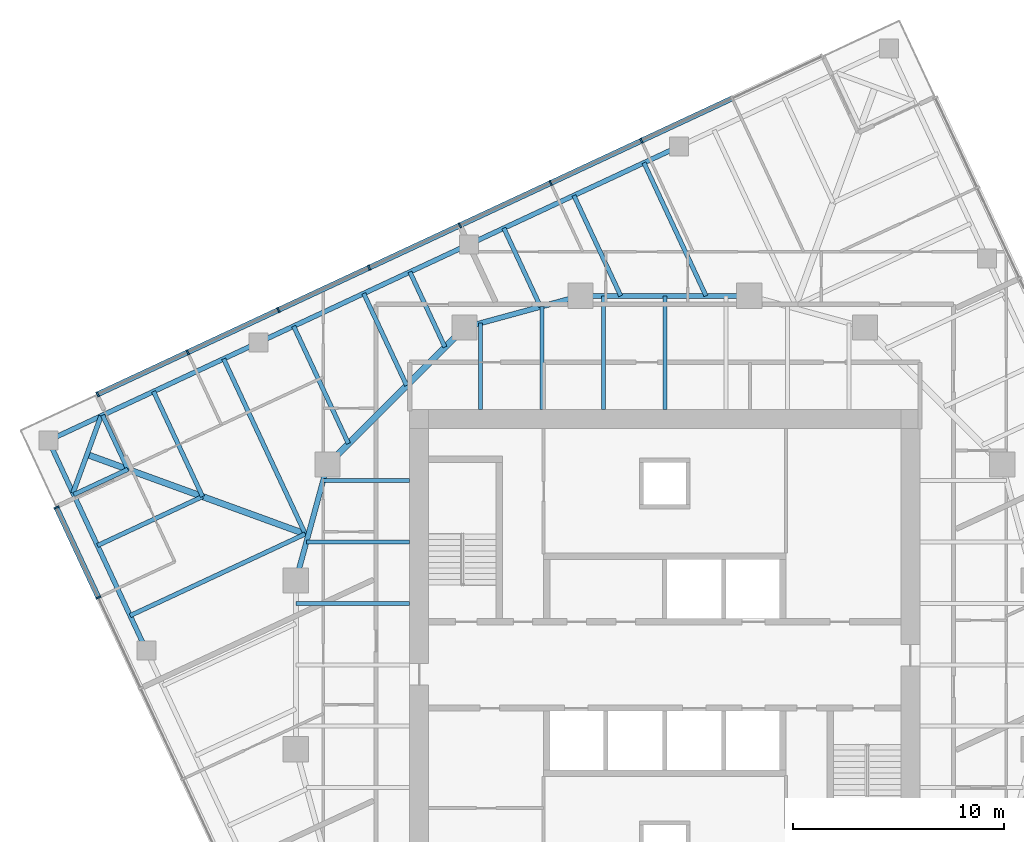
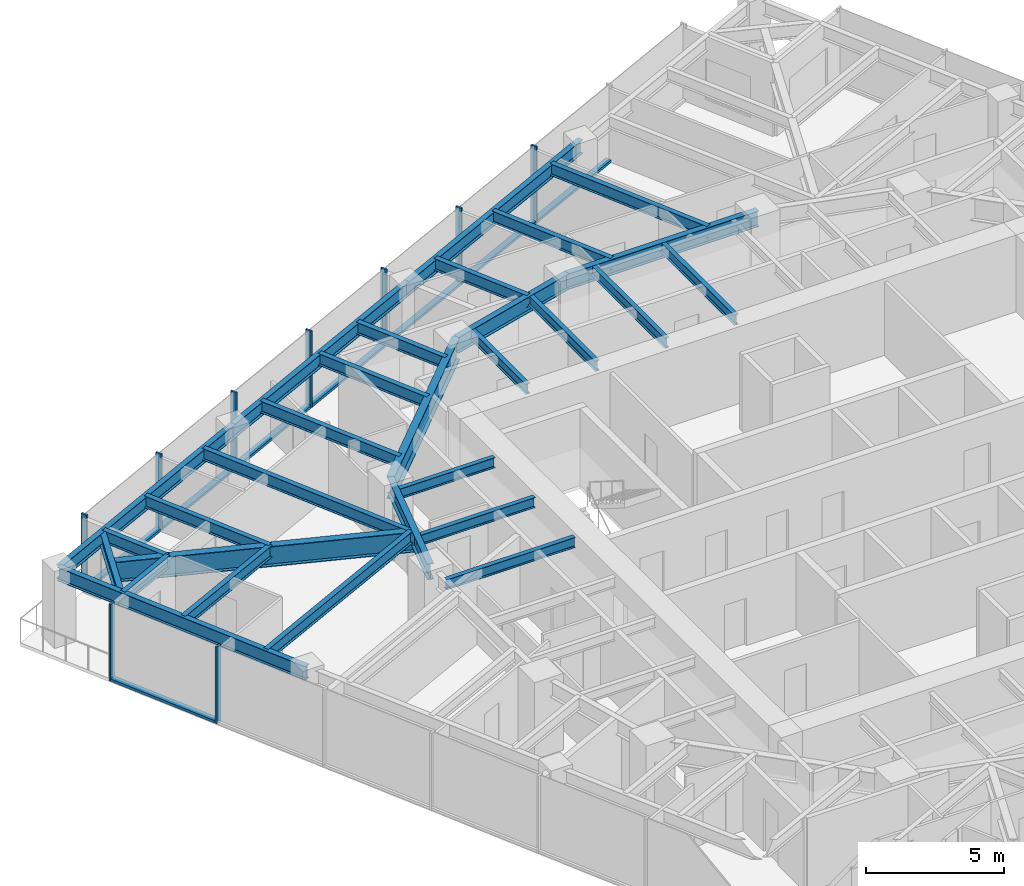
# One storey, part 4 of 12: 29 beams, 17 members, 2 elements without a shape of their own.
"""IFC4 building model written with IfcOpenShell, lengths in metres."""

from ifc_helpers import new_model, si_unit, direction, frame, origin, origin_2d, place, context, subcontext, project, spatial, rectangle, i_section, extrude, material, material_profile, profile_set, type_object, element, aggregate, save


model = new_model("IFC4")

# Units and contexts
model_context = context("Model", 3, precision=1e-05, world=origin(), true_north=direction((0.0, 1.0)))
body_context = subcontext(model_context, "Body", "Model", "MODEL_VIEW")
ifc_project = project(units=[si_unit("LENGTHUNIT", "METRE"), si_unit("AREAUNIT", "SQUARE_METRE"), si_unit("VOLUMEUNIT", "CUBIC_METRE"), si_unit("PLANEANGLEUNIT", "RADIAN"), si_unit("MASSUNIT", "GRAM", prefix="KILO")], contexts=[model_context])

# Site, building, storey
site_placement = place(None, origin())
site = spatial("IfcSite", under=ifc_project, at=site_placement, CompositionType="ELEMENT")
building_placement = place(site_placement, origin())
building = spatial("IfcBuilding", under=site, at=building_placement, Name="Torsade Residences", CompositionType="ELEMENT")
storey_placement = place(building_placement, frame((0.0, 0.0, 186.199951171875)))
storey = spatial("IfcBuildingStorey", under=building, at=storey_placement, Name="L51", CompositionType="ELEMENT", Elevation=186.199951171875)

# Beams
ifc_material_1 = material(Name="Steel grade 300", Category="steel")
ifc_material_profile_1 = material_profile(ifc_material_1, i_section(OverallWidth=0.300048828125, OverallDepth=0.89990234375, WebThickness=0.011962890625, FlangeThickness=0.02490234375, at=origin_2d()), Name="900WB175")
ifc_profile_set_1 = profile_set([ifc_material_profile_1], Name="Steel grade 300")
beam_type_1 = type_object("IfcBeamType", Name="CORNER GIRDER 900WB175", PredefinedType="BEAM", material=ifc_profile_set_1)
beam_1_placement = place(storey_placement, frame((12.5908203125, 39.97607421875, 2.800048828125), z_axis=(0.93969447651, -0.342015044723, 0.0), x_axis=(0.342015044723, 0.93969447651, 0.0)))
element("IfcBeam", 1, at=beam_1_placement, inside=storey, type_object=beam_type_1, Name="Corner girder 13 L52", PredefinedType="BEAM", context=body_context, shape_type="SweptSolid", body=[
    extrude(i_section(OverallWidth=0.300048828125, OverallDepth=0.89990234375, WebThickness=0.011962890625, FlangeThickness=0.02490234375, at=origin_2d()), origin(), (0.0, 0.0, 1.0), 11.170654296875),
])
ifc_material_2 = material(Name="Steel grade 300", Category="steel")
ifc_material_profile_2 = material_profile(ifc_material_2, i_section(OverallWidth=0.22802734375, OverallDepth=0.60205078125, WebThickness=0.010498046875, FlangeThickness=0.014892578125, FilletRadius=0.013916015625, at=origin_2d()), Name="610UB101")
ifc_profile_set_2 = profile_set([ifc_material_profile_2], Name="Steel grade 300")
beam_type_2 = type_object("IfcBeamType", Name="CORNER TRIMMER 610UB101", PredefinedType="BEAM", material=ifc_profile_set_2)
beam_2_placement = place(storey_placement, frame((11.92578125, 38.14892578125, 2.948974609375), z_axis=(0.342005152204, 0.939698076972, 0.0), x_axis=(-0.939698076972, 0.342005152204, 0.0)))
element("IfcBeam", 2, at=beam_2_placement, inside=storey, type_object=beam_type_2, Name="Corner trimmer 13 L52", PredefinedType="BEAM", context=body_context, shape_type="SweptSolid", body=[
    extrude(i_section(OverallWidth=0.22802734375, OverallDepth=0.60205078125, WebThickness=0.010498046875, FlangeThickness=0.014892578125, FilletRadius=0.013916015625, at=origin_2d()), origin(), (0.0, 0.0, 1.0), 3.88916015625),
])
ifc_material_3 = material(Name="Steel grade 300", Category="steel")
ifc_material_profile_3 = material_profile(ifc_material_3, i_section(OverallWidth=0.22900390625, OverallDepth=0.612060546875, WebThickness=0.011962890625, FlangeThickness=0.01953125, FilletRadius=0.013916015625, at=origin_2d()), Name="610UB125")
ifc_profile_set_3 = profile_set([ifc_material_profile_3], Name="Steel grade 300")
beam_type_3 = type_object("IfcBeamType", Name="EDGE BEAM 610UB125", PredefinedType="SPANDREL", material=ifc_profile_set_3)
beam_3_placement = place(storey_placement, frame((40.671875, 54.587646484375, 2.944091796875), z_axis=(-0.906305009094, -0.422624219007, 0.0), x_axis=(0.422624219007, -0.906305009094, 0.0)))
element("IfcBeam", 3, at=beam_3_placement, inside=storey, type_object=beam_type_3, Name="Edge beam 10 L52", PredefinedType="SPANDREL", context=body_context, shape_type="SweptSolid", body=[
    extrude(i_section(OverallWidth=0.22900390625, OverallDepth=0.612060546875, WebThickness=0.011962890625, FlangeThickness=0.01953125, FilletRadius=0.013916015625, at=origin_2d()), origin(), (0.0, 0.0, 1.0), 11.000244140625),
])
for number, where, z_axis, x_axis, name in (
    (4, (30.702392578125, 49.938720703125, 2.944091796875), (-0.906313510001, -0.422605988587, 0.0), (0.422605988587, -0.906313510001, 0.0), "Edge beam 11 L52"),
    (5, (20.73291015625, 45.2900390625, 2.944091796875), (-0.90630104482, -0.422632720171, 0.0), (0.422632720171, -0.90630104482, 0.0), "Edge beam 12 L52"),
):
    element("IfcBeam", number, at=place(storey_placement, frame(where, z_axis=z_axis, x_axis=x_axis)), inside=storey, type_object=beam_type_3, Name=name, PredefinedType="SPANDREL", context=body_context, shape_type="SweptSolid", body=[
        extrude(i_section(OverallWidth=0.22900390625, OverallDepth=0.612060546875, WebThickness=0.011962890625, FlangeThickness=0.01953125, FilletRadius=0.013916015625, at=origin_2d()), origin(), (0.0, 0.0, 1.0), 11.0),
    ])
beam_4_placement = place(storey_placement, frame((10.763671875, 40.64111328125, 2.944091796875), z_axis=(0.422614489543, -0.906309546032, 0.0), x_axis=(0.906309546032, 0.422614489543, 0.0)))
element("IfcBeam", 6, at=beam_4_placement, inside=storey, type_object=beam_type_3, Name="Edge beam 13 L52", PredefinedType="SPANDREL", context=body_context, shape_type="SweptSolid", body=[
    extrude(i_section(OverallWidth=0.22900390625, OverallDepth=0.612060546875, WebThickness=0.011962890625, FlangeThickness=0.01953125, FilletRadius=0.013916015625, at=origin_2d()), origin(), (0.0, 0.0, 1.0), 10.999755859375),
])
ifc_material_4 = material(Name="Steel grade 300", Category="steel")
ifc_material_profile_4 = material_profile(ifc_material_4, i_section(OverallWidth=0.18994140625, OverallDepth=0.4541015625, WebThickness=0.008544921875, FlangeThickness=0.0126953125, FilletRadius=0.011474609375, at=origin_2d()), Name="460UB67.1")
ifc_profile_set_4 = profile_set([ifc_material_profile_4], Name="Steel grade 300")
beam_type_4 = type_object("IfcBeamType", Name="INNER FLOOR BEAM 460UB67.1", PredefinedType="JOIST", material=ifc_profile_set_4)
beam_5_placement = place(storey_placement, frame((31.262451171875, 42.10009765625, 3.02294921875), z_axis=(0.0, 1.0, 0.0), x_axis=(-1.0, 0.0, 0.0)))
element("IfcBeam", 7, at=beam_5_placement, inside=storey, type_object=beam_type_4, Name="Inner floor beam IN01 L52", PredefinedType="JOIST", context=body_context, shape_type="SweptSolid", body=[
    extrude(i_section(OverallWidth=0.18994140625, OverallDepth=0.4541015625, WebThickness=0.008544921875, FlangeThickness=0.0126953125, FilletRadius=0.011474609375, at=origin_2d()), origin(), (0.0, 0.0, 1.0), 4.10791015625),
])
beam_6_placement = place(storey_placement, frame((34.175048828125, 42.10009765625, 3.02294921875), z_axis=(0.0, 1.0, 0.0), x_axis=(-1.0, 0.0, 0.0)))
element("IfcBeam", 8, at=beam_6_placement, inside=storey, type_object=beam_type_4, Name="Inner floor beam IN02 L52", PredefinedType="JOIST", context=body_context, shape_type="SweptSolid", body=[
    extrude(i_section(OverallWidth=0.18994140625, OverallDepth=0.4541015625, WebThickness=0.008544921875, FlangeThickness=0.0126953125, FilletRadius=0.011474609375, at=origin_2d()), origin(), (0.0, 0.0, 1.0), 4.902099609375),
])
for number, where, z_axis, x_axis, name in (
    (9, (37.08740234375, 42.10009765625, 3.02294921875), (0.0, 1.0, 0.0), (-1.0, 0.0, 0.0), "Inner floor beam IN03 L52"),
    (10, (40.0, 42.10009765625, 3.02294921875), (0.0, 1.0, 0.0), (-1.0, 0.0, 0.0), "Inner floor beam IN04 L52"),
):
    element("IfcBeam", number, at=place(storey_placement, frame(where, z_axis=z_axis, x_axis=x_axis)), inside=storey, type_object=beam_type_4, Name=name, PredefinedType="JOIST", context=body_context, shape_type="SweptSolid", body=[
        extrude(i_section(OverallWidth=0.18994140625, OverallDepth=0.4541015625, WebThickness=0.008544921875, FlangeThickness=0.0126953125, FilletRadius=0.011474609375, at=origin_2d()), origin(), (0.0, 0.0, 1.0), 5.39990234375),
    ])
beam_7_placement = place(storey_placement, frame((27.89990234375, 38.737548828125, 3.02294921875), z_axis=(-1.0, 0.0, 0.0), x_axis=(0.0, -1.0, 0.0)))
element("IfcBeam", 11, at=beam_7_placement, inside=storey, type_object=beam_type_4, Name="Inner floor beam IW01 L52", PredefinedType="JOIST", context=body_context, shape_type="SweptSolid", body=[
    extrude(i_section(OverallWidth=0.18994140625, OverallDepth=0.4541015625, WebThickness=0.008544921875, FlangeThickness=0.0126953125, FilletRadius=0.011474609375, at=origin_2d()), origin(), (0.0, 0.0, 1.0), 4.10791015625),
])
beam_8_placement = place(storey_placement, frame((27.89990234375, 35.824951171875, 3.02294921875), z_axis=(-1.0, 0.0, 0.0), x_axis=(0.0, -1.0, 0.0)))
element("IfcBeam", 12, at=beam_8_placement, inside=storey, type_object=beam_type_4, Name="Inner floor beam IW02 L52", PredefinedType="JOIST", context=body_context, shape_type="SweptSolid", body=[
    extrude(i_section(OverallWidth=0.18994140625, OverallDepth=0.4541015625, WebThickness=0.008544921875, FlangeThickness=0.0126953125, FilletRadius=0.011474609375, at=origin_2d()), origin(), (0.0, 0.0, 1.0), 4.902099609375),
])
beam_9_placement = place(storey_placement, frame((27.89990234375, 32.91259765625, 3.02294921875), z_axis=(-1.0, 0.0, 0.0), x_axis=(0.0, -1.0, 0.0)))
element("IfcBeam", 13, at=beam_9_placement, inside=storey, type_object=beam_type_4, Name="Inner floor beam IW03 L52", PredefinedType="JOIST", context=body_context, shape_type="SweptSolid", body=[
    extrude(i_section(OverallWidth=0.18994140625, OverallDepth=0.4541015625, WebThickness=0.008544921875, FlangeThickness=0.0126953125, FilletRadius=0.011474609375, at=origin_2d()), origin(), (0.0, 0.0, 1.0), 5.39990234375),
])

# Curtain wall, members
ifc_material_5 = material(Name="Aluminium and glass", Category="aluminium")
curtain_wall_type = type_object("IfcCurtainWallType", Name="FRITTED GLASS CURTAIN WALL MID ZONE", PredefinedType="NOTDEFINED", material=ifc_material_5)
curtain_wall_1_placement = place(storey_placement, origin())
curtain_wall_1 = element("IfcCurtainWall", 14, at=curtain_wall_1_placement, inside=storey, type_object=curtain_wall_type, Name="Curtain wall L51 face 7", PredefinedType="NOTDEFINED")
ifc_material_6 = material(Name="Aluminium mullion", Category="aluminium")
ifc_material_profile_5 = material_profile(ifc_material_6, rectangle(XDim=0.25, YDim=0.080078125, at=origin_2d()), Name="MID ZONE CURTAIN WALL MULLION 250x80")
ifc_profile_set_5 = profile_set([ifc_material_profile_5], Name="Aluminium mullion")
member_type_1 = type_object("IfcMemberType", Name="MID ZONE CURTAIN WALL MULLION 250x80", PredefinedType="MULLION", material=ifc_profile_set_5)
member_1_placement = place(storey_placement, frame((38.8896484375, 54.85986328125, 0.0), z_axis=(0.0, 0.0, 1.0), x_axis=(0.422618261978, -0.906307786926, 0.0)))
member_1 = element("IfcMember", 15, at=member_1_placement, type_object=member_type_1, Name="Mullion 3", PredefinedType="MULLION", context=body_context, shape_type="SweptSolid", body=[
    extrude(rectangle(XDim=0.25, YDim=0.080078125, at=origin_2d()), origin(), (0.0, 0.0, 1.0), 3.400146484375),
])
member_2_placement = place(storey_placement, frame((34.584716796875, 52.8525390625, 0.0), z_axis=(0.0, 0.0, 1.0), x_axis=(0.422618261978, -0.906307786926, 0.0)))
member_2 = element("IfcMember", 16, at=member_2_placement, type_object=member_type_1, Name="Mullion 4", PredefinedType="MULLION", context=body_context, shape_type="SweptSolid", body=[
    extrude(rectangle(XDim=0.25, YDim=0.080078125, at=origin_2d()), origin(), (0.0, 0.0, 1.0), 3.400146484375),
])
member_3_placement = place(storey_placement, frame((30.27978515625, 50.844970703125, 0.0), z_axis=(0.0, 0.0, 1.0), x_axis=(0.422618261978, -0.906307786926, 0.0)))
member_3 = element("IfcMember", 17, at=member_3_placement, type_object=member_type_1, Name="Mullion 5", PredefinedType="MULLION", context=body_context, shape_type="SweptSolid", body=[
    extrude(rectangle(XDim=0.25, YDim=0.080078125, at=origin_2d()), origin(), (0.0, 0.0, 1.0), 3.400146484375),
])
member_4_placement = place(storey_placement, frame((25.974853515625, 48.837646484375, 0.0), z_axis=(0.0, 0.0, 1.0), x_axis=(0.422618261978, -0.906307786926, 0.0)))
member_4 = element("IfcMember", 18, at=member_4_placement, type_object=member_type_1, Name="Mullion 6", PredefinedType="MULLION", context=body_context, shape_type="SweptSolid", body=[
    extrude(rectangle(XDim=0.25, YDim=0.080078125, at=origin_2d()), origin(), (0.0, 0.0, 1.0), 3.400146484375),
])
member_5_placement = place(storey_placement, frame((21.669921875, 46.830322265625, 0.0), z_axis=(0.0, 0.0, 1.0), x_axis=(0.422618261978, -0.906307786926, 0.0)))
member_5 = element("IfcMember", 19, at=member_5_placement, type_object=member_type_1, Name="Mullion 7", PredefinedType="MULLION", context=body_context, shape_type="SweptSolid", body=[
    extrude(rectangle(XDim=0.25, YDim=0.080078125, at=origin_2d()), origin(), (0.0, 0.0, 1.0), 3.400146484375),
])
member_6_placement = place(storey_placement, frame((17.364990234375, 44.82275390625, 0.0), z_axis=(0.0, 0.0, 1.0), x_axis=(0.422618261978, -0.906307786926, 0.0)))
member_6 = element("IfcMember", 20, at=member_6_placement, type_object=member_type_1, Name="Mullion 8", PredefinedType="MULLION", context=body_context, shape_type="SweptSolid", body=[
    extrude(rectangle(XDim=0.25, YDim=0.080078125, at=origin_2d()), origin(), (0.0, 0.0, 1.0), 3.400146484375),
])
member_7_placement = place(storey_placement, frame((13.09619140625, 42.832275390625, 0.0), z_axis=(0.0, 0.0, 1.0), x_axis=(0.422618261978, -0.906307786926, 0.0)))
member_7 = element("IfcMember", 21, at=member_7_placement, type_object=member_type_1, Name="Mullion 9", PredefinedType="MULLION", context=body_context, shape_type="SweptSolid", body=[
    extrude(rectangle(XDim=0.25, YDim=0.080078125, at=origin_2d()), origin(), (0.0, 0.0, 1.0), 3.400146484375),
])

curtain_wall_2_placement = place(storey_placement, origin())
curtain_wall_2 = element("IfcCurtainWall", 22, at=curtain_wall_2_placement, inside=storey, type_object=curtain_wall_type, Name="Curtain wall L51 face 10", PredefinedType="NOTDEFINED")
member_8_placement = place(storey_placement, frame((11.14208984375, 37.46337890625, 0.0), z_axis=(0.0, 0.0, 1.0), x_axis=(0.906307786926, 0.422618261978, 0.0)))
member_8 = element("IfcMember", 23, at=member_8_placement, type_object=member_type_1, Name="Mullion 1", PredefinedType="MULLION", context=body_context, shape_type="SweptSolid", body=[
    extrude(rectangle(XDim=0.25, YDim=0.080078125, at=origin_2d()), origin(), (0.0, 0.0, 1.0), 3.400146484375),
])
member_9_placement = place(storey_placement, frame((13.132568359375, 33.194580078125, 0.0), z_axis=(0.0, 0.0, 1.0), x_axis=(0.906307786926, 0.422618261978, 0.0)))
member_9 = element("IfcMember", 24, at=member_9_placement, type_object=member_type_1, Name="Mullion 2", PredefinedType="MULLION", context=body_context, shape_type="SweptSolid", body=[
    extrude(rectangle(XDim=0.25, YDim=0.080078125, at=origin_2d()), origin(), (0.0, 0.0, 1.0), 3.400146484375),
])

# Member
ifc_material_7 = material(Name="Aluminium transom", Category="aluminium")
ifc_material_profile_6 = material_profile(ifc_material_7, rectangle(XDim=0.25, YDim=0.110107421875, at=origin_2d()), Name="MID ZONE CURTAIN WALL TRANSOM 250x110")
ifc_profile_set_6 = profile_set([ifc_material_profile_6], Name="Aluminium transom")
member_type_2 = type_object("IfcMemberType", Name="MID ZONE CURTAIN WALL TRANSOM 250x110", PredefinedType="USERDEFINED", material=ifc_profile_set_6)
member_10_placement = place(storey_placement, frame((43.158447265625, 56.8505859375, 0.054931640625), z_axis=(-0.906305976097, -0.422622145291, 0.0), x_axis=(0.422622145291, -0.906305976097, 0.0)))
member_10 = element("IfcMember", 25, at=member_10_placement, type_object=member_type_2, Name="Transom 2.1", ObjectType="TRANSOM", PredefinedType="USERDEFINED", context=body_context, shape_type="SweptSolid", body=[
    extrude(rectangle(XDim=0.25, YDim=0.110107421875, at=origin_2d()), origin(), (0.0, 0.0, 1.0), 4.669921875),
])

member_11_placement = place(storey_placement, frame((38.853515625, 54.843017578125, 0.054931640625), z_axis=(-0.906305976097, -0.422622145291, 0.0), x_axis=(0.422622145291, -0.906305976097, 0.0)))
member_11 = element("IfcMember", 26, at=member_11_placement, type_object=member_type_2, Name="Transom 3.1", ObjectType="TRANSOM", PredefinedType="USERDEFINED", context=body_context, shape_type="SweptSolid", body=[
    extrude(rectangle(XDim=0.25, YDim=0.110107421875, at=origin_2d()), origin(), (0.0, 0.0, 1.0), 4.669921875),
])

member_12_placement = place(storey_placement, frame((34.548583984375, 52.835693359375, 0.054931640625), z_axis=(-0.90631531293, -0.422602122035, 0.0), x_axis=(0.422602122035, -0.90631531293, 0.0)))
member_12 = element("IfcMember", 27, at=member_12_placement, type_object=member_type_2, Name="Transom 4.1", ObjectType="TRANSOM", PredefinedType="USERDEFINED", context=body_context, shape_type="SweptSolid", body=[
    extrude(rectangle(XDim=0.25, YDim=0.110107421875, at=origin_2d()), origin(), (0.0, 0.0, 1.0), 4.670166015625),
])

member_13_placement = place(storey_placement, frame((30.243408203125, 50.828125, 0.054931640625), z_axis=(-0.906305976097, -0.422622145291, 0.0), x_axis=(0.422622145291, -0.906305976097, 0.0)))
member_13 = element("IfcMember", 28, at=member_13_placement, type_object=member_type_2, Name="Transom 5.1", ObjectType="TRANSOM", PredefinedType="USERDEFINED", context=body_context, shape_type="SweptSolid", body=[
    extrude(rectangle(XDim=0.25, YDim=0.110107421875, at=origin_2d()), origin(), (0.0, 0.0, 1.0), 4.669921875),
])

member_14_placement = place(storey_placement, frame((25.9384765625, 48.82080078125, 0.054931640625), z_axis=(-0.906305976097, -0.422622145291, 0.0), x_axis=(0.422622145291, -0.906305976097, 0.0)))
member_14 = element("IfcMember", 29, at=member_14_placement, type_object=member_type_2, Name="Transom 6.1", ObjectType="TRANSOM", PredefinedType="USERDEFINED", context=body_context, shape_type="SweptSolid", body=[
    extrude(rectangle(XDim=0.25, YDim=0.110107421875, at=origin_2d()), origin(), (0.0, 0.0, 1.0), 4.669921875),
])

member_15_placement = place(storey_placement, frame((21.633544921875, 46.813232421875, 0.054931640625), z_axis=(-0.906305976097, -0.422622145291, 0.0), x_axis=(0.422622145291, -0.906305976097, 0.0)))
member_15 = element("IfcMember", 30, at=member_15_placement, type_object=member_type_2, Name="Transom 7.1", ObjectType="TRANSOM", PredefinedType="USERDEFINED", context=body_context, shape_type="SweptSolid", body=[
    extrude(rectangle(XDim=0.25, YDim=0.110107421875, at=origin_2d()), origin(), (0.0, 0.0, 1.0), 4.669921875),
])

member_16_placement = place(storey_placement, frame((17.32861328125, 44.805908203125, 0.054931640625), z_axis=(-0.906305687176, -0.422622764878, 0.0), x_axis=(0.422622764878, -0.906305687176, 0.0)))
member_16 = element("IfcMember", 31, at=member_16_placement, type_object=member_type_2, Name="Transom 8.1", ObjectType="TRANSOM", PredefinedType="USERDEFINED", context=body_context, shape_type="SweptSolid", body=[
    extrude(rectangle(XDim=0.25, YDim=0.110107421875, at=origin_2d()), origin(), (0.0, 0.0, 1.0), 4.630126953125),
])

aggregate(curtain_wall_1, [member_1, member_2, member_3, member_4, member_5, member_6, member_7, member_10, member_11, member_12, member_13, member_14, member_15, member_16])

member_17_placement = place(storey_placement, frame((11.158935546875, 37.427001953125, 0.054931640625), z_axis=(0.422642962277, -0.906296268578, 0.0), x_axis=(0.906296268578, 0.422642962277, 0.0)))
member_17 = element("IfcMember", 32, at=member_17_placement, type_object=member_type_2, Name="Transom 1.1", ObjectType="TRANSOM", PredefinedType="USERDEFINED", context=body_context, shape_type="SweptSolid", body=[
    extrude(rectangle(XDim=0.25, YDim=0.110107421875, at=origin_2d()), origin(), (0.0, 0.0, 1.0), 4.6298828125),
])

aggregate(curtain_wall_2, [member_8, member_9, member_17])

# Beams
ifc_material_8 = material(Name="Steel grade 300", Category="steel")
ifc_material_profile_7 = material_profile(ifc_material_8, i_section(OverallWidth=0.300048828125, OverallDepth=1.0, WebThickness=0.01611328125, FlangeThickness=0.028076171875, at=origin_2d()), Name="1000WB215")
ifc_profile_set_7 = profile_set([ifc_material_profile_7], Name="Steel grade 300")
beam_type_5 = type_object("IfcBeamType", Name="RING CORNER GIRDER 1000WB215", PredefinedType="BEAM", material=ifc_profile_set_7)
beam_10_placement = place(storey_placement, frame((30.5, 46.0, 2.75), z_axis=(-0.707106781187, -0.707106781187, 0.0), x_axis=(0.707106781187, -0.707106781187, 0.0)))
element("IfcBeam", 33, at=beam_10_placement, inside=storey, type_object=beam_type_5, Name="Ring girder IR07 L52", PredefinedType="BEAM", context=body_context, shape_type="SweptSolid", body=[
    extrude(i_section(OverallWidth=0.300048828125, OverallDepth=1.0, WebThickness=0.01611328125, FlangeThickness=0.028076171875, at=origin_2d()), origin(), (0.0, 0.0, 1.0), 9.1923828125),
])
ifc_material_9 = material(Name="Steel grade 300", Category="steel")
ifc_material_profile_8 = material_profile(ifc_material_9, i_section(OverallWidth=0.25, OverallDepth=0.699951171875, WebThickness=0.010009765625, FlangeThickness=0.02001953125, at=origin_2d()), Name="700WB130")
ifc_profile_set_8 = profile_set([ifc_material_profile_8], Name="Steel grade 300")
beam_type_6 = type_object("IfcBeamType", Name="RING GIRDER 700WB130", PredefinedType="BEAM", material=ifc_profile_set_8)
beam_11_placement = place(storey_placement, frame((44.0, 47.5, 2.900146484375), z_axis=(-1.0, 0.0, 0.0), x_axis=(0.0, -1.0, 0.0)))
element("IfcBeam", 34, at=beam_11_placement, inside=storey, type_object=beam_type_6, Name="Ring girder IR05 L52", PredefinedType="BEAM", context=body_context, shape_type="SweptSolid", body=[
    extrude(i_section(OverallWidth=0.25, OverallDepth=0.699951171875, WebThickness=0.010009765625, FlangeThickness=0.02001953125, at=origin_2d()), origin(), (0.0, 0.0, 1.0), 8.0),
])
for number, where, z_axis, x_axis, name in (
    (35, (36.0, 47.5, 2.900146484375), (-0.964763821238, -0.263117405792, 0.0), (0.263117405792, -0.964763821238, 0.0), "Ring girder IR06 L52"),
    (36, (24.0, 39.5, 2.900146484375), (-0.263117405792, -0.964763821238, 0.0), (0.964763821238, -0.263117405792, 0.0), "Ring girder IR08 L52"),
):
    element("IfcBeam", number, at=place(storey_placement, frame(where, z_axis=z_axis, x_axis=x_axis)), inside=storey, type_object=beam_type_6, Name=name, PredefinedType="BEAM", context=body_context, shape_type="SweptSolid", body=[
        extrude(i_section(OverallWidth=0.25, OverallDepth=0.699951171875, WebThickness=0.010009765625, FlangeThickness=0.02001953125, at=origin_2d()), origin(), (0.0, 0.0, 1.0), 5.700927734375),
    ])
ifc_material_10 = material(Name="Steel grade 300", Category="steel")
ifc_material_profile_9 = material_profile(ifc_material_10, i_section(OverallWidth=0.208984375, OverallDepth=0.528076171875, WebThickness=0.009521484375, FlangeThickness=0.01318359375, FilletRadius=0.013916015625, at=origin_2d()), Name="530UB82.0")
ifc_profile_set_9 = profile_set([ifc_material_profile_9], Name="Steel grade 300")
beam_type_7 = type_object("IfcBeamType", Name="SECONDARY BEAM 530UB82.0", PredefinedType="JOIST", material=ifc_profile_set_9)
beam_12_placement = place(storey_placement, frame((39.01025390625, 53.812744140625, 2.986083984375), z_axis=(0.422609131726, -0.906312044376, 0.0), x_axis=(0.906312044376, 0.422609131726, 0.0)))
element("IfcBeam", 37, at=beam_12_placement, inside=storey, type_object=beam_type_7, Name="Floor beam FN04 L52", PredefinedType="JOIST", context=body_context, shape_type="SweptSolid", body=[
    extrude(i_section(OverallWidth=0.208984375, OverallDepth=0.528076171875, WebThickness=0.009521484375, FlangeThickness=0.01318359375, FilletRadius=0.013916015625, at=origin_2d()), origin(), (0.0, 0.0, 1.0), 6.96533203125),
])
beam_13_placement = place(storey_placement, frame((35.68701171875, 52.26318359375, 2.986083984375), z_axis=(0.422631142882, -0.90630178035, 0.0), x_axis=(0.90630178035, 0.422631142882, 0.0)))
element("IfcBeam", 38, at=beam_13_placement, inside=storey, type_object=beam_type_7, Name="Floor beam FN05 L52", PredefinedType="JOIST", context=body_context, shape_type="SweptSolid", body=[
    extrude(i_section(OverallWidth=0.208984375, OverallDepth=0.528076171875, WebThickness=0.009521484375, FlangeThickness=0.01318359375, FilletRadius=0.013916015625, at=origin_2d()), origin(), (0.0, 0.0, 1.0), 5.255615234375),
])
beam_14_placement = place(storey_placement, frame((32.364013671875, 50.713623046875, 2.986083984375), z_axis=(0.422635442612, -0.906299775267, 0.0), x_axis=(0.906299775267, 0.422635442612, 0.0)))
element("IfcBeam", 39, at=beam_14_placement, inside=storey, type_object=beam_type_7, Name="Floor beam FN06 L52", PredefinedType="JOIST", context=body_context, shape_type="SweptSolid", body=[
    extrude(i_section(OverallWidth=0.208984375, OverallDepth=0.528076171875, WebThickness=0.009521484375, FlangeThickness=0.01318359375, FilletRadius=0.013916015625, at=origin_2d()), origin(), (0.0, 0.0, 1.0), 4.116455078125),
])
beam_15_placement = place(storey_placement, frame((27.907958984375, 48.6357421875, 2.986083984375), z_axis=(0.422644222818, -0.906295680735, 0.0), x_axis=(0.906295680735, 0.422644222818, 0.0)))
element("IfcBeam", 40, at=beam_15_placement, inside=storey, type_object=beam_type_7, Name="Floor beam FN07 L52", PredefinedType="JOIST", context=body_context, shape_type="SweptSolid", body=[
    extrude(i_section(OverallWidth=0.208984375, OverallDepth=0.528076171875, WebThickness=0.009521484375, FlangeThickness=0.01318359375, FilletRadius=0.013916015625, at=origin_2d()), origin(), (0.0, 0.0, 1.0), 3.933837890625),
])
beam_16_placement = place(storey_placement, frame((25.7177734375, 47.6142578125, 2.986083984375), z_axis=(0.422618876857, -0.906307500203, 0.0), x_axis=(0.906307500203, 0.422618876857, 0.0)))
element("IfcBeam", 41, at=beam_16_placement, inside=storey, type_object=beam_type_7, Name="Floor beam FN08 L52", PredefinedType="JOIST", context=body_context, shape_type="SweptSolid", body=[
    extrude(i_section(OverallWidth=0.208984375, OverallDepth=0.528076171875, WebThickness=0.009521484375, FlangeThickness=0.01318359375, FilletRadius=0.013916015625, at=origin_2d()), origin(), (0.0, 0.0, 1.0), 4.813232421875),
])
beam_17_placement = place(storey_placement, frame((22.39453125, 46.064697265625, 2.986083984375), z_axis=(0.42264848683, -0.906293692233, 0.0), x_axis=(0.906293692233, 0.42264848683, 0.0)))
element("IfcBeam", 42, at=beam_17_placement, inside=storey, type_object=beam_type_7, Name="Floor beam FN09 L52", PredefinedType="JOIST", context=body_context, shape_type="SweptSolid", body=[
    extrude(i_section(OverallWidth=0.208984375, OverallDepth=0.528076171875, WebThickness=0.009521484375, FlangeThickness=0.01318359375, FilletRadius=0.013916015625, at=origin_2d()), origin(), (0.0, 0.0, 1.0), 6.14794921875),
])
beam_18_placement = place(storey_placement, frame((19.071533203125, 44.51513671875, 2.986083984375), z_axis=(0.422618627092, -0.90630761667, 0.0), x_axis=(0.90630761667, 0.422618627092, 0.0)))
element("IfcBeam", 43, at=beam_18_placement, inside=storey, type_object=beam_type_7, Name="Floor beam FN10 L52", PredefinedType="JOIST", context=body_context, shape_type="SweptSolid", body=[
    extrude(i_section(OverallWidth=0.208984375, OverallDepth=0.528076171875, WebThickness=0.009521484375, FlangeThickness=0.01318359375, FilletRadius=0.013916015625, at=origin_2d()), origin(), (0.0, 0.0, 1.0), 9.166748046875),
])
beam_19_placement = place(storey_placement, frame((15.748291015625, 42.965576171875, 2.986083984375), z_axis=(0.422632720171, -0.90630104482, 0.0), x_axis=(0.90630104482, 0.422632720171, 0.0)))
element("IfcBeam", 44, at=beam_19_placement, inside=storey, type_object=beam_type_7, Name="Floor beam FN11 L52", PredefinedType="JOIST", context=body_context, shape_type="SweptSolid", body=[
    extrude(i_section(OverallWidth=0.208984375, OverallDepth=0.528076171875, WebThickness=0.009521484375, FlangeThickness=0.01318359375, FilletRadius=0.013916015625, at=origin_2d()), origin(), (0.0, 0.0, 1.0), 5.5),
])
for number, where, z_axis, x_axis, name in (
    (45, (13.33154296875, 41.838623046875, 2.986083984375), (0.42257409885, -0.906328379221, 0.0), (0.906328379221, 0.42257409885, 0.0), "Floor beam FN12 L52"),
    (46, (11.9609375, 38.0732421875, 2.986083984375), (0.906295375613, 0.422644877104, 0.0), (-0.422644877104, 0.906295375613, 0.0), "Floor beam FW01 L52"),
):
    element("IfcBeam", number, at=place(storey_placement, frame(where, z_axis=z_axis, x_axis=x_axis)), inside=storey, type_object=beam_type_7, Name=name, PredefinedType="JOIST", context=body_context, shape_type="SweptSolid", body=[
        extrude(i_section(OverallWidth=0.208984375, OverallDepth=0.528076171875, WebThickness=0.009521484375, FlangeThickness=0.01318359375, FilletRadius=0.013916015625, at=origin_2d()), origin(), (0.0, 0.0, 1.0), 2.833251953125),
    ])
beam_20_placement = place(storey_placement, frame((13.088134765625, 35.656494140625, 2.986083984375), z_axis=(0.90630104482, 0.422632720171, 0.0), x_axis=(-0.422632720171, 0.90630104482, 0.0)))
element("IfcBeam", 47, at=beam_20_placement, inside=storey, type_object=beam_type_7, Name="Floor beam FW02 L52", PredefinedType="JOIST", context=body_context, shape_type="SweptSolid", body=[
    extrude(i_section(OverallWidth=0.208984375, OverallDepth=0.528076171875, WebThickness=0.009521484375, FlangeThickness=0.01318359375, FilletRadius=0.013916015625, at=origin_2d()), origin(), (0.0, 0.0, 1.0), 5.5),
])
beam_21_placement = place(storey_placement, frame((14.6376953125, 32.333251953125, 2.986083984375), z_axis=(0.90630761667, 0.422618627092, 0.0), x_axis=(-0.422618627092, 0.90630761667, 0.0)))
element("IfcBeam", 48, at=beam_21_placement, inside=storey, type_object=beam_type_7, Name="Floor beam FW03 L52", PredefinedType="JOIST", context=body_context, shape_type="SweptSolid", body=[
    extrude(i_section(OverallWidth=0.208984375, OverallDepth=0.528076171875, WebThickness=0.009521484375, FlangeThickness=0.01318359375, FilletRadius=0.013916015625, at=origin_2d()), origin(), (0.0, 0.0, 1.0), 9.166748046875),
])

save(model, "model.ifc")
